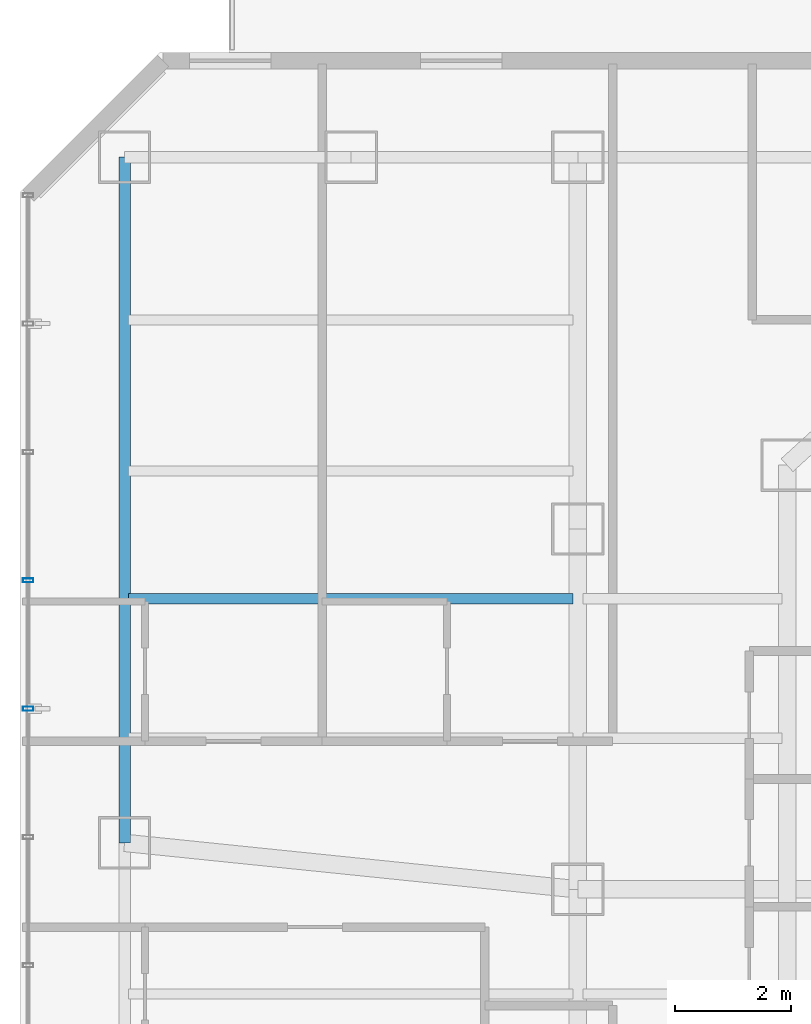
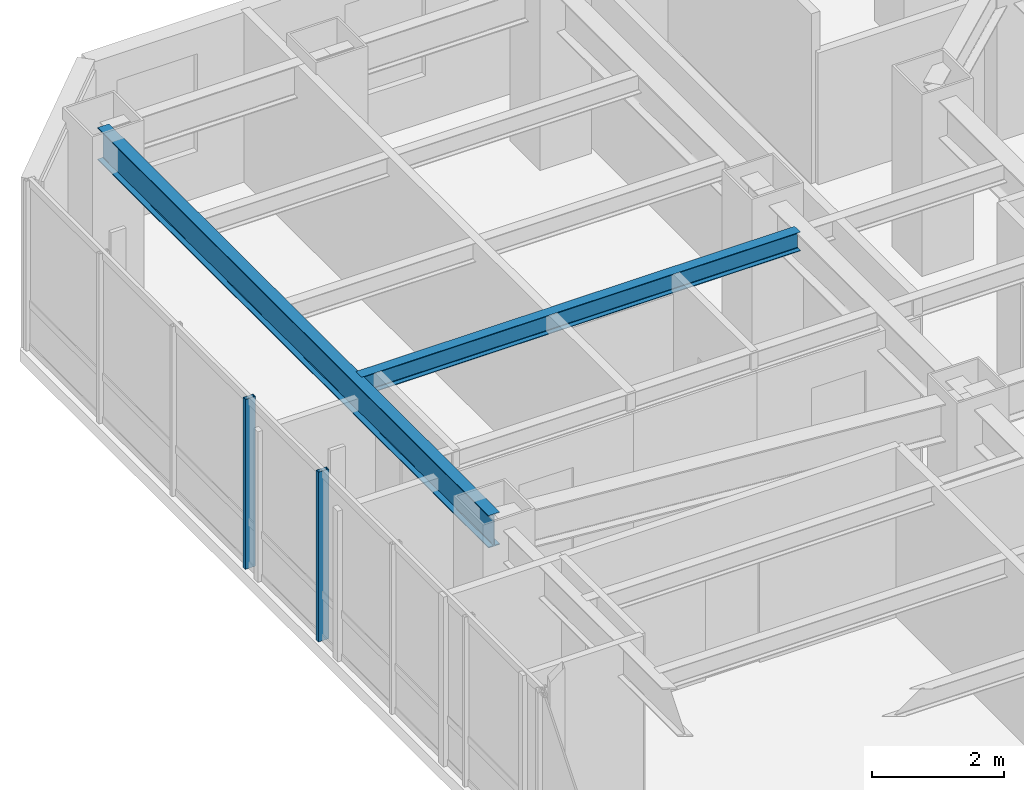
# One storey, part 15 of 31: 2 beams, 2 members, 1 element without a shape of its own.
"""IFC4 building model written with IfcOpenShell, lengths in metres."""

from ifc_helpers import new_model, si_unit, direction, frame, origin, origin_2d, place, context, subcontext, project, spatial, hollow_rectangle, i_section, extrude, material, layer, layer_set, material_profile, profile_set, type_object, element, aggregate, save


model = new_model("IFC4")

# Units and contexts
model_context = context("Model", 3, precision=1e-05, world=origin(), true_north=direction((0.0, 1.0)))
body_context = subcontext(model_context, "Body", "Model", "MODEL_VIEW")
ifc_project = project(units=[si_unit("LENGTHUNIT", "METRE"), si_unit("AREAUNIT", "SQUARE_METRE"), si_unit("VOLUMEUNIT", "CUBIC_METRE"), si_unit("PLANEANGLEUNIT", "RADIAN"), si_unit("MASSUNIT", "GRAM", prefix="KILO")], contexts=[model_context])

# Site, building, storey
site_placement = place(None, origin())
site = spatial("IfcSite", under=ifc_project, at=site_placement, CompositionType="ELEMENT")
building_placement = place(site_placement, origin())
building = spatial("IfcBuilding", under=site, at=building_placement, Name="Hatsunagi Terrace Concourse", CompositionType="ELEMENT")
storey_placement = place(building_placement, frame((0.0, 0.0, 81.300048828125)))
storey = spatial("IfcBuildingStorey", under=building, at=storey_placement, Name="L21", CompositionType="ELEMENT", Elevation=81.300048828125)

# Curtain wall, members
ifc_material_1 = material(Name="Anodised Aluminium Alloy 6063-T5", Category="aluminium")
ifc_layer = layer(ifc_material_1, 0.199951171875)
ifc_layer_set = layer_set([ifc_layer], Name="HotelFacade_CW02")
curtain_wall_type = type_object("IfcCurtainWallType", Name="HotelFacade_CW02", PredefinedType="NOTDEFINED", material=ifc_layer_set)
curtain_wall_placement = place(storey_placement, origin())
curtain_wall = element("IfcCurtainWall", 1, at=curtain_wall_placement, inside=storey, type_object=curtain_wall_type, Name="Unitised Curtain Wall CW-02 CW-L21-09", PredefinedType="NOTDEFINED")
ifc_material_2 = material(Name="Anodised Aluminium Alloy 6063-T5", Category="aluminium")
ifc_material_profile_1 = material_profile(ifc_material_2, hollow_rectangle(XDim=0.070068359375, YDim=0.179931640625, WallThickness=0.00390625, at=origin_2d()), Name="ALU-MUL-180x70x4")
ifc_profile_set_1 = profile_set([ifc_material_profile_1], Name="Anodised Aluminium Alloy 6063-T5")
member_type = type_object("IfcMemberType", Name="CurtainWallMullion_180x70", PredefinedType="MULLION", material=ifc_profile_set_1)
member_1_placement = place(storey_placement, frame((9.739990234375, 39.10791015625, 0.0), z_axis=(0.0, 0.0, 1.0), x_axis=(0.0, 1.0, 0.0)))
member_1 = element("IfcMember", 2, at=member_1_placement, type_object=member_type, Name="Curtain Wall Mullion MUL-02", PredefinedType="MULLION", context=body_context, shape_type="SweptSolid", body=[
    extrude(hollow_rectangle(XDim=0.070068359375, YDim=0.179931640625, WallThickness=0.00390625, at=origin_2d()), origin(), (0.0, 0.0, 1.0), 3.1298828125),
])
member_2_placement = place(storey_placement, frame((9.739990234375, 41.31689453125, 0.0), z_axis=(0.0, 0.0, 1.0), x_axis=(0.0, 1.0, 0.0)))
member_2 = element("IfcMember", 3, at=member_2_placement, type_object=member_type, Name="Curtain Wall Mullion MUL-02", PredefinedType="MULLION", context=body_context, shape_type="SweptSolid", body=[
    extrude(hollow_rectangle(XDim=0.070068359375, YDim=0.179931640625, WallThickness=0.00390625, at=origin_2d()), origin(), (0.0, 0.0, 1.0), 3.1298828125),
])
aggregate(curtain_wall, [member_1, member_2])

# Beams
ifc_material_3 = material(Name="Steel SN490B", Category="steel")
ifc_material_profile_2 = material_profile(ifc_material_3, i_section(OverallWidth=0.175048828125, OverallDepth=0.35009765625, WebThickness=0.007080078125, FlangeThickness=0.010986328125, FilletRadius=0.012939453125, at=origin_2d()), Name="H-350x175x7x11")
ifc_profile_set_2 = profile_set([ifc_material_profile_2], Name="Steel SN490B")
beam_type_1 = type_object("IfcBeamType", Name="HotelJoist_H_350x175", PredefinedType="JOIST", material=ifc_profile_set_2)
beam_1_placement = place(storey_placement, frame((11.465087890625, 41.0, 2.954833984375), z_axis=(1.0, 0.0, 0.0), x_axis=(0.0, 1.0, 0.0)))
element("IfcBeam", 4, at=beam_1_placement, inside=storey, type_object=beam_type_1, Name="Beam J-02 J-L21-W-11-410", PredefinedType="JOIST", context=body_context, shape_type="SweptSolid", body=[
    extrude(i_section(OverallWidth=0.175048828125, OverallDepth=0.35009765625, WebThickness=0.007080078125, FlangeThickness=0.010986328125, FilletRadius=0.012939453125, at=origin_2d()), origin(), (0.0, 0.0, 1.0), 7.64990234375),
])
ifc_material_4 = material(Name="Steel SN490B", Category="steel")
ifc_material_profile_3 = material_profile(ifc_material_4, i_section(OverallWidth=0.199951171875, OverallDepth=0.60009765625, WebThickness=0.010986328125, FlangeThickness=0.01708984375, FilletRadius=0.01806640625, at=origin_2d()), Name="H-600x200x11x17")
ifc_profile_set_3 = profile_set([ifc_material_profile_3], Name="Steel SN490B")
beam_type_2 = type_object("IfcBeamType", Name="PerimeterSpandrel_H_600x200", PredefinedType="SPANDREL", material=ifc_profile_set_3)
beam_2_placement = place(storey_placement, frame((11.39990234375, 36.800048828125, 2.829833984375), z_axis=(0.0, 1.0, 0.0), x_axis=(-1.0, 0.0, 0.0)))
element("IfcBeam", 5, at=beam_2_placement, inside=storey, type_object=beam_type_2, Name="Beam SP-01 BM-L21-NS-11-36", PredefinedType="SPANDREL", context=body_context, shape_type="SweptSolid", body=[
    extrude(i_section(OverallWidth=0.199951171875, OverallDepth=0.60009765625, WebThickness=0.010986328125, FlangeThickness=0.01708984375, FilletRadius=0.01806640625, at=origin_2d()), origin(), (0.0, 0.0, 1.0), 11.800048828125),
])

save(model, "model.ifc")
